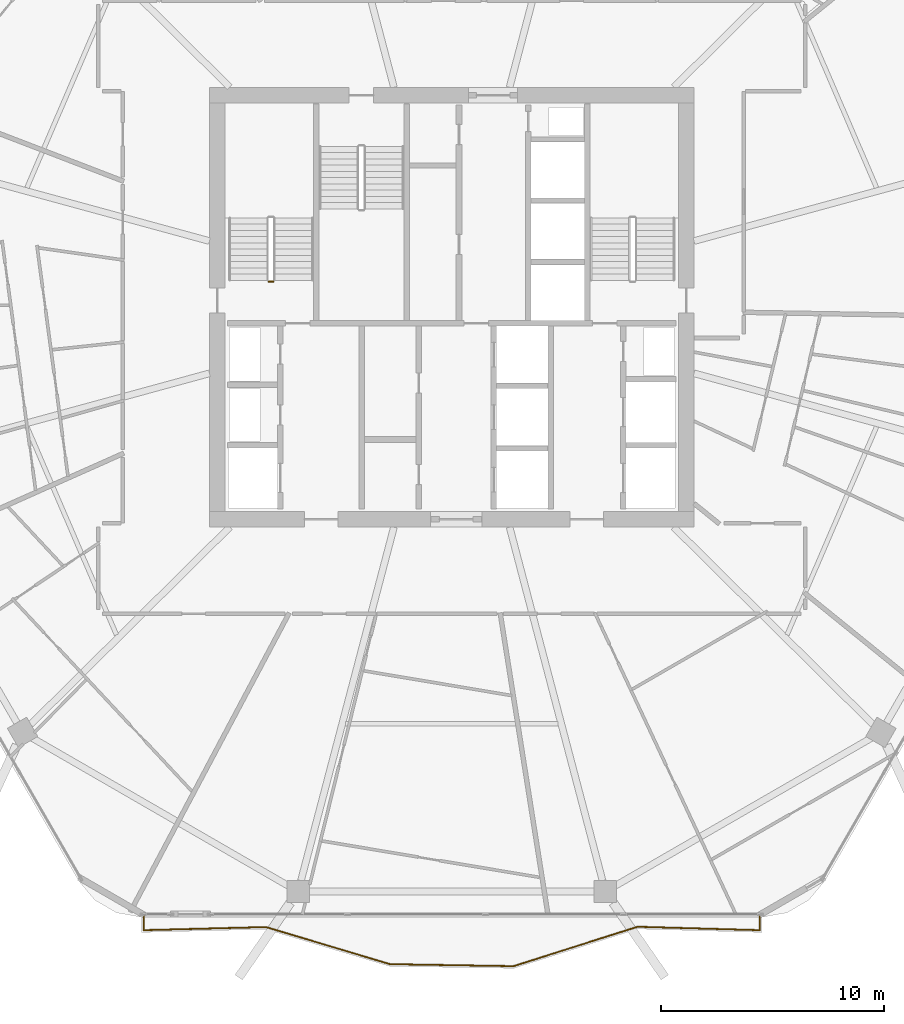
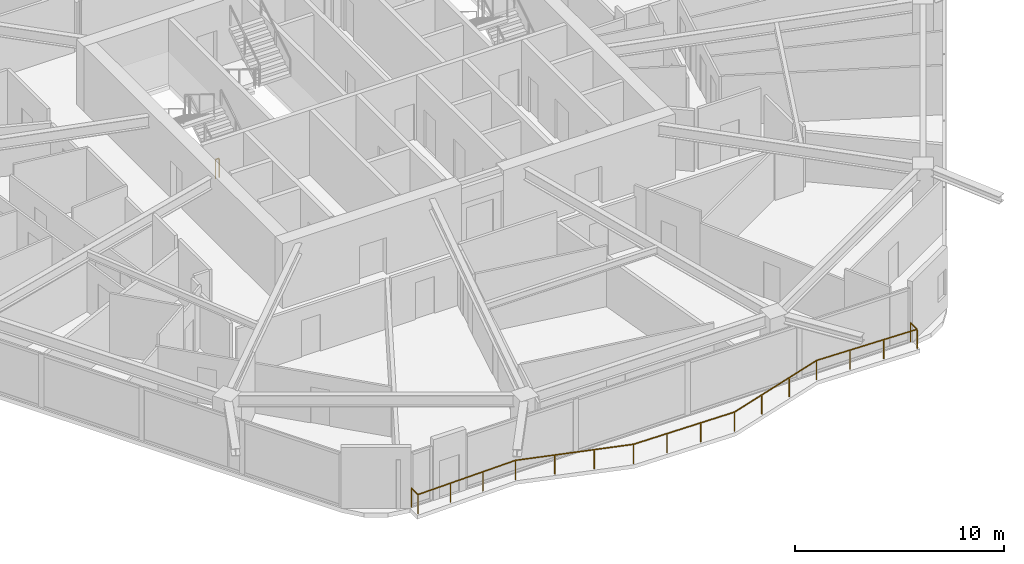
# One storey, part 25 of 27: 2 railings.
"""IFC4 building model written with IfcOpenShell, lengths in metres."""

import ifcopenshell
import ifcopenshell.guid

model = None  # the IFC model being written
_history = None  # IfcOwnerHistory: only IFC2X3 demands one
_inside = {}  # id of a spatial element -> (the spatial element, [elements in it])
_under = {}  # id of a project, library or spatial element -> (it, [spatial elements below it])
_declared = {}  # id of a project -> (the project, [libraries it declares])
_typed = {}  # id of a type object -> (the type object, [elements of that type])
_made_of = {}  # id of a material, layer set ... -> (it, [elements and type objects made of it])


def new_model(schema):
    """Start an empty IFC model of exactly this schema.

    Asked for "IFC4X3", IfcOpenShell would pick the latest addendum, in which some entities
    have other attributes; the version numbers below select the first issue.
    IFC2X3 requires an IfcOwnerHistory on every rooted entity: one is made here for all.
    """
    global model, _history
    if schema == "IFC4X3":
        model = ifcopenshell.file(schema_version=(4, 3, 0, 0))
    else:
        model = ifcopenshell.file(schema=schema)
    _inside.clear()
    _under.clear()
    _declared.clear()
    _typed.clear()
    _made_of.clear()
    _history = None
    if model.schema == "IFC2X3":
        org = make("IfcOrganization", Name="unknown")
        user = make(
            "IfcPersonAndOrganization",
            ThePerson=make("IfcPerson", FamilyName="unknown"),
            TheOrganization=org,
        )
        app = make(
            "IfcApplication",
            ApplicationDeveloper=org,
            Version="unknown",
            ApplicationFullName="unknown",
            ApplicationIdentifier="unknown",
        )
        _history = make(
            "IfcOwnerHistory",
            OwningUser=user,
            OwningApplication=app,
            ChangeAction="ADDED",
            CreationDate=0,
        )
    return model


def make(cls, **values):
    """One entity of the class cls with the attributes given. An attribute that is None is left unset."""
    return model.create_entity(
        cls, **{name: value for name, value in values.items() if value is not None}
    )


def rooted(cls, **values):
    """An entity with a GlobalId (a new one), such as an element, a storey or a relation."""
    return make(cls, GlobalId=ifcopenshell.guid.new(), OwnerHistory=_history, **values)


def si_unit(unit_type, name, prefix=None):
    """IfcSIUnit, for example si_unit("LENGTHUNIT", "METRE", prefix="MILLI")."""
    return make("IfcSIUnit", UnitType=unit_type, Prefix=prefix, Name=name)


def assignment(units):
    """IfcUnitAssignment: the units of a project."""
    return None if units is None else make("IfcUnitAssignment", Units=units)


def point(xyz):
    """IfcCartesianPoint."""
    return None if xyz is None else make("IfcCartesianPoint", Coordinates=xyz)


def direction(xyz):
    """IfcDirection."""
    return None if xyz is None else make("IfcDirection", DirectionRatios=xyz)


def frame(location, z_axis=None, x_axis=None):
    """IfcAxis2Placement3D, a coordinate frame: its origin and axes. An axis left out is left unset."""
    return make(
        "IfcAxis2Placement3D",
        Location=point(location),
        Axis=direction(z_axis),
        RefDirection=direction(x_axis),
    )


def frame_2d(location, x_axis=None):
    """IfcAxis2Placement2D, a coordinate frame in the plane: its origin and x axis."""
    return make(
        "IfcAxis2Placement2D", Location=point(location), RefDirection=direction(x_axis)
    )


def origin():
    """The frame at (0, 0, 0) with its axes left unset."""
    return frame((0.0, 0.0, 0.0))


def origin_2d():
    """The frame at (0, 0) in the plane with its x axis left unset."""
    return frame_2d((0.0, 0.0))


def place(relative_to, where):
    """IfcLocalPlacement: puts the frame where relative to a parent placement (None: the world)."""
    return make(
        "IfcLocalPlacement", PlacementRelTo=relative_to, RelativePlacement=where
    )


def context(
    kind, dimensions, precision=None, world=None, true_north=None, identifier=None
):
    """IfcGeometricRepresentationContext, for example the 3D "Model" context."""
    return make(
        "IfcGeometricRepresentationContext",
        ContextIdentifier=identifier,
        ContextType=kind,
        CoordinateSpaceDimension=dimensions,
        Precision=precision,
        WorldCoordinateSystem=world,
        TrueNorth=true_north,
    )


def subcontext(parent, identifier, kind, view, scale=None):
    """IfcGeometricRepresentationSubContext, for example "Body" below "Model"."""
    return make(
        "IfcGeometricRepresentationSubContext",
        ContextIdentifier=identifier,
        ContextType=kind,
        ParentContext=parent,
        TargetScale=scale,
        TargetView=view,
    )


def project(units=None, contexts=None):
    """IfcProject with its units and contexts."""
    return rooted(
        "IfcProject",
        Name="project",
        RepresentationContexts=contexts,
        UnitsInContext=assignment(units),
    )


def spatial(cls, under=None, at=None, **own):
    """A site, building, storey or space (cls), placed at a placement, below another one or the project."""
    s = rooted(cls, ObjectPlacement=at, **own)
    if under is not None:
        _under.setdefault(under.id(), (under, []))[1].append(s)
    return s


def profile(cls, at=None, kind="AREA", **sizes):
    """A parametric profile (cls). Its sizes go by their IFC names, for example OverallWidth=200.0."""
    return make(cls, ProfileType=kind, Position=at, **sizes)


def rectangle(**sizes):
    """IfcRectangleProfileDef."""
    return profile("IfcRectangleProfileDef", **sizes)


def extrude(swept, where, along, depth):
    """IfcExtrudedAreaSolid: the profile swept, set in the frame where, extruded along a direction by depth."""
    return make(
        "IfcExtrudedAreaSolid",
        SweptArea=swept,
        Position=where,
        ExtrudedDirection=direction(along),
        Depth=depth,
    )


def shape(context_of_items, identifier, shape_type, items):
    """IfcShapeRepresentation: the items that make up one representation, for example the "Body"."""
    return make(
        "IfcShapeRepresentation",
        ContextOfItems=context_of_items,
        RepresentationIdentifier=identifier,
        RepresentationType=shape_type,
        Items=items,
    )


def material(Name=None, Category=None):
    """IfcMaterial."""
    return make("IfcMaterial", Name=Name, Category=Category)


def made_of(thing, what):
    """Note that an element or type object is made of a material, layer set ...; save() writes the relation."""
    if what is not None:
        _made_of.setdefault(what.id(), (what, []))[1].append(thing)
    return thing


def type_object(cls, material=None, **own):
    """A type object (cls), such as IfcWallType, which elements share."""
    return made_of(rooted(cls, **own), material)


def element(
    cls,
    number,
    at=None,
    inside=None,
    cuts=None,
    type_object=None,
    material=None,
    context=None,
    identifier="Body",
    shape_type=None,
    held_by="IfcProductDefinitionShape",
    body=None,
    shapes=None,
    **own,
):
    """One element of the class cls, such as IfcWall. Its Tag is "e" and its number.

    at: its placement. inside: the storey or other place that contains it. cuts: it is an
    opening in that element (IfcRelVoidsElement). A single representation is given by context,
    identifier, shape_type and body (its items); several are given by shapes. held_by: the class
    of the entity that holds the representations. save() writes the other relations.
    """
    e = rooted(cls, Tag="e%d" % number, ObjectPlacement=at, **own)
    if body is not None:
        shapes = [shape(context, identifier, shape_type, body)]
    if shapes is not None:
        e.Representation = make(held_by, Representations=shapes)
    if inside is not None:
        _inside.setdefault(inside.id(), (inside, []))[1].append(e)
    if cuts is not None:
        rooted(
            "IfcRelVoidsElement", RelatingBuildingElement=cuts, RelatedOpeningElement=e
        )
    if type_object is not None:
        _typed.setdefault(type_object.id(), (type_object, []))[1].append(e)
    return made_of(e, material)


def aggregate(whole, parts):
    """IfcRelAggregates: a whole, such as a stair, and the parts it consists of."""
    return rooted("IfcRelAggregates", RelatingObject=whole, RelatedObjects=parts)


def save(model, path):
    """Write the relations noted so far, then the file.

    IfcRelAggregates (storeys below a building ...), IfcRelContainedInSpatialStructure (elements
    in a storey), IfcRelDefinesByType, IfcRelAssociatesMaterial and IfcRelDeclares: one each for
    every whole, place, type object, material and project.
    """
    for whole, parts in _under.values():
        aggregate(whole, parts)
    for where, things in _inside.values():
        rooted(
            "IfcRelContainedInSpatialStructure",
            RelatedElements=things,
            RelatingStructure=where,
        )
    for kind, things in _typed.values():
        rooted("IfcRelDefinesByType", RelatedObjects=things, RelatingType=kind)
    for what, things in _made_of.values():
        rooted("IfcRelAssociatesMaterial", RelatedObjects=things, RelatingMaterial=what)
    for by, libraries in _declared.values():
        rooted("IfcRelDeclares", RelatingContext=by, RelatedDefinitions=libraries)
    model.write(path)


model = new_model("IFC4")

# Units and contexts
model_context = context("Model", 3, precision=1e-05, world=origin(), true_north=direction((0.0, 1.0)))
body_context = subcontext(model_context, "Body", "Model", "MODEL_VIEW")
ifc_project = project(units=[si_unit("LENGTHUNIT", "METRE"), si_unit("AREAUNIT", "SQUARE_METRE"), si_unit("VOLUMEUNIT", "CUBIC_METRE"), si_unit("PLANEANGLEUNIT", "RADIAN"), si_unit("MASSUNIT", "GRAM", prefix="KILO")], contexts=[model_context])

# Site, building, storey
site_placement = place(None, origin())
site = spatial("IfcSite", under=ifc_project, at=site_placement, CompositionType="ELEMENT")
building_placement = place(site_placement, origin())
building = spatial("IfcBuilding", under=site, at=building_placement, Name="Zuhravey Tower", CompositionType="ELEMENT")
storey_placement = place(building_placement, frame((0.0, 0.0, 173.199951171875)))
storey = spatial("IfcBuildingStorey", under=building, at=storey_placement, Name="L43", CompositionType="ELEMENT", Elevation=173.199951171875)

# Railings
ifc_material_1 = material(Name="Stainless steel 316 and laminated glass", Category="steel")
railing_type_1 = type_object("IfcRailingType", Name="Balcony & Terrace Guardrail 1150", PredefinedType="BALUSTRADE", material=ifc_material_1)
railing_1_placement = place(storey_placement, frame((49.7900390625, 4.73193359375, 0.0)))
element("IfcRailing", 1, at=railing_1_placement, inside=storey, type_object=railing_type_1, Name="L43 Face 5 Wave Balcony Guardrail GR1", PredefinedType="BALUSTRADE", context=body_context, shape_type="SweptSolid", body=[
    extrude(rectangle(XDim=0.048095703125, YDim=0.048095703125, at=origin_2d()), frame((0.0, -0.001953125, 1.1259765625), z_axis=(0.0, -1.0, 0.0), x_axis=(1.0, 0.0, 0.0)), (0.0, 0.0, 1.0), 0.63330078125),
    extrude(rectangle(XDim=0.048095703125, YDim=0.048095703125, at=origin_2d()), frame((-0.001953125, -0.63720703125, 1.1259765625), z_axis=(-0.999608689548, 0.027972625562, 0.0), x_axis=(-0.027972625562, -0.999608689548, 0.0)), (0.0, 0.0, 1.0), 5.46826171875),
    extrude(rectangle(XDim=0.048095703125, YDim=0.048095703125, at=origin_2d()), frame((-5.47216796875, -0.484619140625, 1.1259765625), z_axis=(-0.953068660905, -0.302754236307, 0.0), x_axis=(0.302754236307, -0.953068660905, 0.0)), (0.0, 0.0, 1.0), 5.826171875),
    extrude(rectangle(XDim=0.048095703125, YDim=0.048095703125, at=origin_2d()), frame((-11.02880859375, -2.249267578125, 1.1259765625), z_axis=(-0.999867853116, 0.016256577271, 0.0), x_axis=(-0.016256577271, -0.999867853116, 0.0)), (0.0, 0.0, 1.0), 5.522705078125),
    extrude(rectangle(XDim=0.048095703125, YDim=0.048095703125, at=origin_2d()), frame((-16.5546875, -2.158935546875, 1.1259765625), z_axis=(-0.958086515211, 0.286479020823, 0.0), x_axis=(-0.286479020823, -0.958086515211, 0.0)), (0.0, 0.0, 1.0), 5.797119140625),
    extrude(rectangle(XDim=0.048095703125, YDim=0.048095703125, at=origin_2d()), frame((-22.112548828125, -0.49755859375, 1.1259765625), z_axis=(-0.999673070677, -0.025568569812, 0.0), x_axis=(0.025568569812, -0.999673070677, 0.0)), (0.0, 0.0, 1.0), 5.46728515625),
    extrude(rectangle(XDim=0.048095703125, YDim=0.048095703125, at=origin_2d()), frame((-27.580078125, -0.635498046875, 1.1259765625), z_axis=(0.0, 1.0, 0.0), x_axis=(-1.0, 0.0, 0.0)), (0.0, 0.0, 1.0), 0.633544921875),
    extrude(rectangle(XDim=0.0419921875, YDim=0.0419921875, at=origin_2d()), origin(), (0.0, 0.0, 1.0), 1.099853515625),
    extrude(rectangle(XDim=0.0419921875, YDim=0.0419921875, at=origin_2d()), frame((0.0, -0.63720703125, 0.0)), (0.0, 0.0, 1.0), 1.099853515625),
    extrude(rectangle(XDim=0.0419921875, YDim=0.0419921875, at=origin_2d()), frame((-1.823486328125, -0.586181640625, 0.0)), (0.0, 0.0, 1.0), 1.099853515625),
    extrude(rectangle(XDim=0.0419921875, YDim=0.0419921875, at=origin_2d()), frame((-3.646728515625, -0.53515625, 0.0)), (0.0, 0.0, 1.0), 1.099853515625),
    extrude(rectangle(XDim=0.0419921875, YDim=0.0419921875, at=origin_2d()), frame((-5.47021484375, -0.484130859375, 0.0)), (0.0, 0.0, 1.0), 1.099853515625),
    extrude(rectangle(XDim=0.0419921875, YDim=0.0419921875, at=origin_2d()), frame((-7.322509765625, -1.072509765625, 0.0)), (0.0, 0.0, 1.0), 1.099853515625),
    extrude(rectangle(XDim=0.0419921875, YDim=0.0419921875, at=origin_2d()), frame((-9.174560546875, -1.660888671875, 0.0)), (0.0, 0.0, 1.0), 1.099853515625),
    extrude(rectangle(XDim=0.0419921875, YDim=0.0419921875, at=origin_2d()), frame((-11.02685546875, -2.249267578125, 0.0)), (0.0, 0.0, 1.0), 1.099853515625),
    extrude(rectangle(XDim=0.0419921875, YDim=0.0419921875, at=origin_2d()), frame((-12.868896484375, -2.21923828125, 0.0)), (0.0, 0.0, 1.0), 1.099853515625),
    extrude(rectangle(XDim=0.0419921875, YDim=0.0419921875, at=origin_2d()), frame((-14.710693359375, -2.189453125, 0.0)), (0.0, 0.0, 1.0), 1.099853515625),
    extrude(rectangle(XDim=0.0419921875, YDim=0.0419921875, at=origin_2d()), frame((-16.552734375, -2.159423828125, 0.0)), (0.0, 0.0, 1.0), 1.099853515625),
    extrude(rectangle(XDim=0.0419921875, YDim=0.0419921875, at=origin_2d()), frame((-18.4052734375, -1.60546875, 0.0)), (0.0, 0.0, 1.0), 1.099853515625),
    extrude(rectangle(XDim=0.0419921875, YDim=0.0419921875, at=origin_2d()), frame((-20.258056640625, -1.051513671875, 0.0)), (0.0, 0.0, 1.0), 1.099853515625),
    extrude(rectangle(XDim=0.0419921875, YDim=0.0419921875, at=origin_2d()), frame((-22.110595703125, -0.49755859375, 0.0)), (0.0, 0.0, 1.0), 1.099853515625),
    extrude(rectangle(XDim=0.0419921875, YDim=0.0419921875, at=origin_2d()), frame((-23.933837890625, -0.544189453125, 0.0)), (0.0, 0.0, 1.0), 1.099853515625),
    extrude(rectangle(XDim=0.0419921875, YDim=0.0419921875, at=origin_2d()), frame((-25.7568359375, -0.5908203125, 0.0)), (0.0, 0.0, 1.0), 1.099853515625),
    extrude(rectangle(XDim=0.0419921875, YDim=0.0419921875, at=origin_2d()), frame((-27.580078125, -0.637451171875, 0.0)), (0.0, 0.0, 1.0), 1.099853515625),
    extrude(rectangle(XDim=0.0419921875, YDim=0.0419921875, at=origin_2d()), frame((-27.580078125, 0.0, 0.0)), (0.0, 0.0, 1.0), 1.099853515625),
])
ifc_material_2 = material(Name="Painted tubular steel", Category="steel")
railing_type_2 = type_object("IfcRailingType", Name="Stair Well Guardrail 1150", PredefinedType="GUARDRAIL", material=ifc_material_2)
railing_2_placement = place(storey_placement, frame((28.0, 33.14990234375, 0.0)))
element("IfcRailing", 2, at=railing_2_placement, inside=storey, type_object=railing_type_2, Name="L43 ST1 stair guard 4", PredefinedType="GUARDRAIL", context=body_context, shape_type="SweptSolid", body=[
    extrude(rectangle(XDim=0.048095703125, YDim=0.048095703125, at=origin_2d()), frame((-0.001953125, 0.0, 1.1259765625), z_axis=(-1.0, 0.0, 0.0), x_axis=(0.0, -1.0, 0.0)), (0.0, 0.0, 1.0), 0.196044921875),
    extrude(rectangle(XDim=0.0419921875, YDim=0.0419921875, at=origin_2d()), origin(), (0.0, 0.0, 1.0), 1.099853515625),
    extrude(rectangle(XDim=0.0419921875, YDim=0.0419921875, at=origin_2d()), frame((-0.199951171875, 0.0, 0.0)), (0.0, 0.0, 1.0), 1.099853515625),
])

save(model, "model.ifc")
